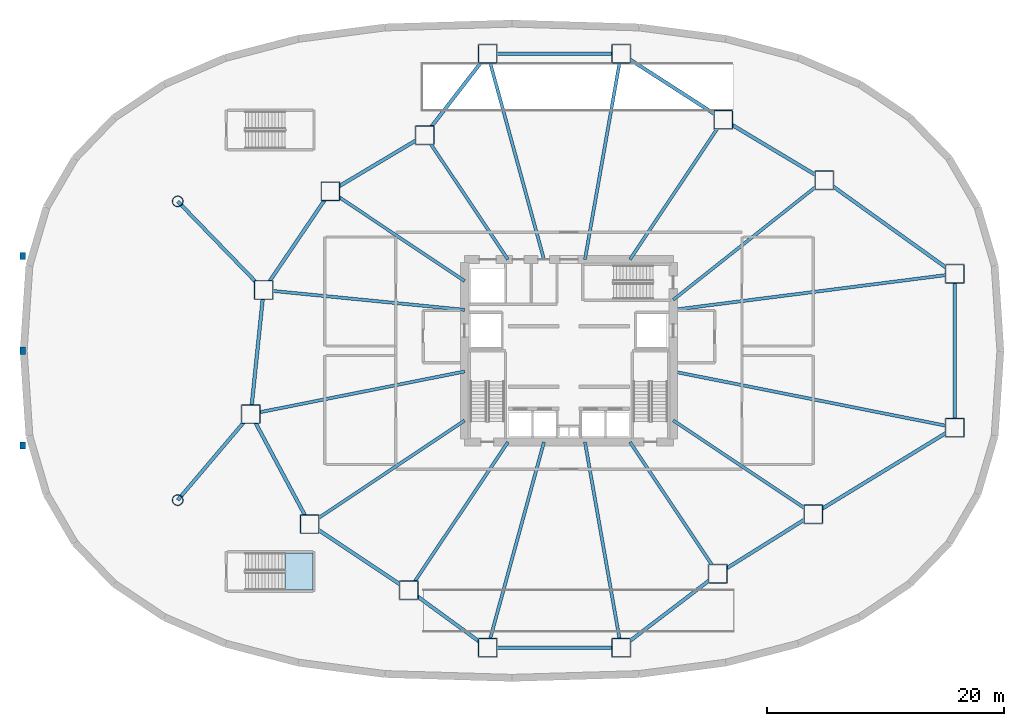
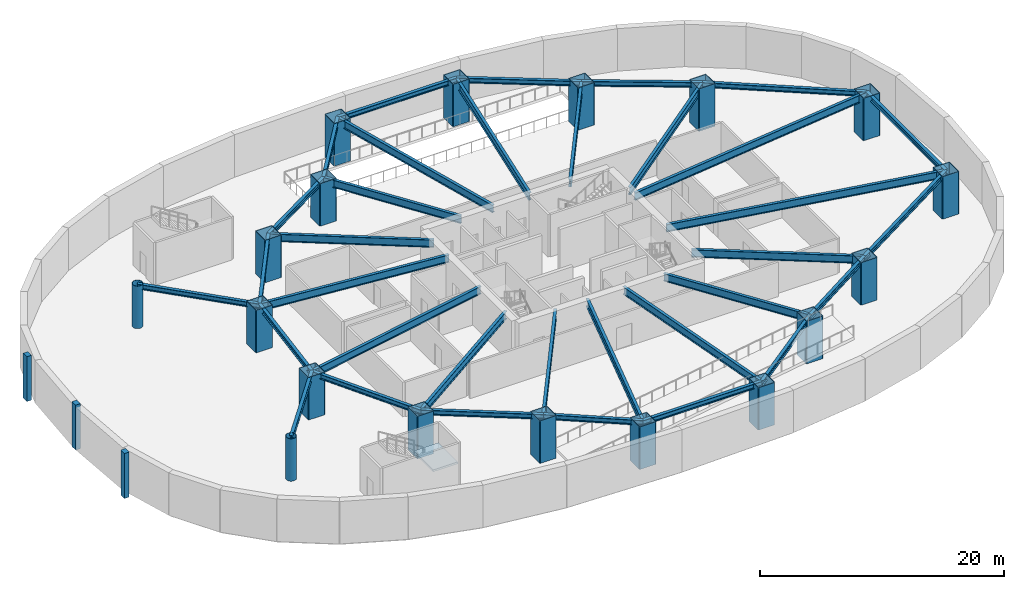
# One storey, part 1 of 10: 34 beams, 21 columns, 1 slab, 1 element without a shape of its own.
"""IFC4 building model written with IfcOpenShell, lengths in metres."""

from ifc_helpers import new_model, si_unit, direction, frame, origin, origin_2d, place, context, subcontext, project, spatial, polyline, rectangle, hollow_rectangle, hollow_circle, i_section, outline, extrude, source, transform, mapped, material, layer, layer_set, material_profile, profile_set, type_object, element, aggregate, save


model = new_model("IFC4")

# Units and contexts
model_context = context("Model", 3, precision=1e-05, world=origin(), true_north=direction((0.0, 1.0)))
body_context = subcontext(model_context, "Body", "Model", "MODEL_VIEW")
ifc_project = project(units=[si_unit("LENGTHUNIT", "METRE"), si_unit("AREAUNIT", "SQUARE_METRE"), si_unit("VOLUMEUNIT", "CUBIC_METRE"), si_unit("PLANEANGLEUNIT", "RADIAN"), si_unit("MASSUNIT", "GRAM", prefix="KILO"), si_unit("THERMODYNAMICTEMPERATUREUNIT", "KELVIN")], contexts=[model_context])

# Site, building, storey
site_placement = place(None, origin())
site = spatial("IfcSite", under=ifc_project, at=site_placement, CompositionType="ELEMENT")
building_placement = place(site_placement, origin())
building = spatial("IfcBuilding", under=site, at=building_placement, Name="Kethvar Cultural Tower", CompositionType="ELEMENT")
storey_placement = place(building_placement, frame((0.0, 0.0, -4.5)))
storey = spatial("IfcBuildingStorey", under=building, at=storey_placement, Name="B01", CompositionType="ELEMENT", Elevation=-4.5)

# Columns
ifc_material_1 = material(Name="Concrete C50/60", Category="concrete")
ifc_material_profile_1 = material_profile(ifc_material_1, rectangle(XDim=0.449951171875, YDim=0.60009765625, at=origin_2d()), Name="Concrete C50/60 — RC600x450")
ifc_profile_set_1 = profile_set([ifc_material_profile_1], Name="Concrete C50/60 — RC600x450")
column_type_1 = type_object("IfcColumnType", Name="COL-PIER-600", PredefinedType="PILASTER", material=ifc_profile_set_1)
shared_shape_1 = source(origin(), body_context, "Body", "SweptSolid", [
    extrude(rectangle(XDim=0.449951171875, YDim=0.60009765625, at=origin_2d()), origin(), (0.0, 0.0, 1.0), 4.5),
])
for number, where, z_axis, x_axis, name in (
    (1, (0.719970703125, 19.800048828125, 0.0), (0.0, 0.0, 1.0), (1.0, 0.0, 0.0), "B01 Canopy Support Pier 01"),
    (2, (0.719970703125, 27.800048828125, 0.0), (0.0, 0.0, 1.0), (1.0, 0.0, 0.0), "B01 Canopy Support Pier 02"),
    (3, (0.719970703125, 35.800048828125, 0.0), (0.0, 0.0, 1.0), (1.0, 0.0, 0.0), "B01 Canopy Support Pier 03"),
):
    element("IfcColumn", number, at=place(storey_placement, frame(where, z_axis=z_axis, x_axis=x_axis)), inside=storey, type_object=column_type_1, Name=name, PredefinedType="PILASTER", context=body_context, shape_type="MappedRepresentation", body=[
        mapped(shared_shape_1, transform((0.0, 0.0, 0.0), scale=1.0)),
    ])
ifc_material_2 = material(Name="Steel S460M", Category="steel")
ifc_material_profile_2 = material_profile(ifc_material_2, hollow_rectangle(XDim=1.60009765625, YDim=1.60009765625, WallThickness=0.06005859375, InnerFilletRadius=0.030029296875, OuterFilletRadius=0.090087890625, at=origin_2d()), Name="Steel S460M — BOX1600x1600x60")
ifc_profile_set_2 = profile_set([ifc_material_profile_2], Name="Steel S460M — BOX1600x1600x60")
column_type_2 = type_object("IfcColumnType", Name="COL-BOX1600", PredefinedType="COLUMN", material=ifc_profile_set_2)
shared_shape_2 = source(origin(), body_context, "Body", "SweptSolid", [
    extrude(hollow_rectangle(XDim=1.60009765625, YDim=1.60009765625, WallThickness=0.06005859375, InnerFilletRadius=0.030029296875, OuterFilletRadius=0.090087890625, at=origin_2d()), origin(), (0.0, 0.0, 1.0), 4.25),
])
for number, where, z_axis, x_axis, name in (
    (4, (79.362060546875, 34.277099609375, 0.0), (0.0, 0.0, 1.0), (1.0, 0.0, 0.0), "B01 Podium Column C-01"),
    (5, (68.33642578125, 42.190185546875, 0.0), (0.0, 0.0, 1.0), (1.0, 0.0, 0.0), "B01 Podium Column C-02"),
    (6, (59.824951171875, 47.293212890625, 0.0), (0.0, 0.0, 1.0), (1.0, 0.0, 0.0), "B01 Podium Column C-03"),
    (7, (51.199951171875, 52.85009765625, 0.0), (0.0, 0.0, 1.0), (1.0, 0.0, 0.0), "B01 Podium Column C-04"),
    (8, (39.949951171875, 52.85009765625, 0.0), (0.0, 0.0, 1.0), (1.0, 0.0, 0.0), "B01 Podium Column C-05"),
    (9, (34.64599609375, 45.98974609375, 0.0), (0.0, 0.0, 1.0), (1.0, 0.0, 0.0), "B01 Podium Column C-06"),
    (10, (26.6845703125, 41.24072265625, 0.0), (0.0, 0.0, 1.0), (1.0, 0.0, 0.0), "B01 Podium Column C-07"),
    (11, (21.047119140625, 32.922607421875, 0.0), (0.0, 0.0, 1.0), (1.0, 0.0, 0.0), "B01 Podium Column C-08"),
    (12, (19.9658203125, 22.46240234375, 0.0), (0.0, 0.0, 1.0), (1.0, 0.0, 0.0), "B01 Podium Column C-09"),
    (13, (24.9248046875, 13.183349609375, 0.0), (0.0, 0.0, 1.0), (1.0, 0.0, 0.0), "B01 Podium Column C-10"),
    (14, (33.302001953125, 7.598876953125, 0.0), (0.0, 0.0, 1.0), (1.0, 0.0, 0.0), "B01 Podium Column C-11"),
    (15, (39.949951171875, 2.75, 0.0), (0.0, 0.0, 1.0), (1.0, 0.0, 0.0), "B01 Podium Column C-12"),
    (16, (51.199951171875, 2.75, 0.0), (0.0, 0.0, 1.0), (1.0, 0.0, 0.0), "B01 Podium Column C-13"),
    (17, (59.370361328125, 8.987060546875, 0.0), (0.0, 0.0, 1.0), (1.0, 0.0, 0.0), "B01 Podium Column C-14"),
    (18, (67.41845703125, 14.023193359375, 0.0), (0.0, 0.0, 1.0), (1.0, 0.0, 0.0), "B01 Podium Column C-15"),
    (19, (79.362060546875, 21.322998046875, 0.0), (0.0, 0.0, 1.0), (1.0, 0.0, 0.0), "B01 Podium Column C-16"),
):
    element("IfcColumn", number, at=place(storey_placement, frame(where, z_axis=z_axis, x_axis=x_axis)), inside=storey, type_object=column_type_2, Name=name, PredefinedType="COLUMN", context=body_context, shape_type="MappedRepresentation", body=[
        mapped(shared_shape_2, transform((0.0, 0.0, 0.0), scale=1.0)),
    ])
ifc_material_3 = material(Name="Steel S355J2", Category="steel")
ifc_material_profile_3 = material_profile(ifc_material_3, hollow_circle(Radius=0.45703125, WallThickness=0.031982421875, at=origin_2d()), Name="Steel S355J2 — CHS914x32")
ifc_profile_set_3 = profile_set([ifc_material_profile_3], Name="Steel S355J2 — CHS914x32")
column_type_3 = type_object("IfcColumnType", Name="COL-CHS914", PredefinedType="COLUMN", material=ifc_profile_set_3)
shared_shape_3 = source(origin(), body_context, "Body", "SweptSolid", [
    extrude(hollow_circle(Radius=0.45703125, WallThickness=0.031982421875, at=origin_2d()), origin(), (0.0, 0.0, 1.0), 4.25),
])
for number, where, z_axis, x_axis, name in (
    (20, (13.800048828125, 15.199951171875, 0.0), (0.0, 0.0, 1.0), (1.0, 0.0, 0.0), "B01 Podium Column C-17"),
    (21, (13.800048828125, 40.39990234375, 0.0), (0.0, 0.0, 1.0), (1.0, 0.0, 0.0), "B01 Podium Column C-18"),
):
    element("IfcColumn", number, at=place(storey_placement, frame(where, z_axis=z_axis, x_axis=x_axis)), inside=storey, type_object=column_type_3, Name=name, PredefinedType="COLUMN", context=body_context, shape_type="MappedRepresentation", body=[
        mapped(shared_shape_3, transform((0.0, 0.0, 0.0), scale=1.0)),
    ])

# Beams
ifc_material_profile_4 = material_profile(ifc_material_3, i_section(OverallWidth=0.300048828125, OverallDepth=0.5, WebThickness=0.014404296875, FlangeThickness=0.028076171875, FilletRadius=0.027099609375, at=origin_2d()), Name="Steel S355J2 — HEB500")
ifc_profile_set_4 = profile_set([ifc_material_profile_4], Name="Steel S355J2 — HEB500")
beam_type_1 = type_object("IfcBeamType", Name="BM-SP500", PredefinedType="SPANDREL", material=ifc_profile_set_4)
shared_shape_4 = source(origin(), body_context, "Body", "SweptSolid", [
    extrude(i_section(OverallWidth=0.300048828125, OverallDepth=0.5, WebThickness=0.014404296875, FlangeThickness=0.028076171875, FilletRadius=0.027099609375, at=origin_2d()), origin(), (0.0, 0.0, 1.0), 13.5712890625),
])
beam_1_placement = place(storey_placement, frame((79.362060546875, 34.277099609375, 3.998046875), z_axis=(-0.812419874207, 0.583072849645, 0.0), x_axis=(-0.583072849645, -0.812419874207, 0.0)))
element("IfcBeam", 22, at=beam_1_placement, inside=storey, type_object=beam_type_1, Name="B01 Podium Ring Beam 01", PredefinedType="SPANDREL", context=body_context, shape_type="MappedRepresentation", body=[
    mapped(shared_shape_4, transform((0.0, 0.0, 0.0), scale=1.0)),
])
shared_shape_5 = source(origin(), body_context, "Body", "SweptSolid", [
    extrude(i_section(OverallWidth=0.300048828125, OverallDepth=0.5, WebThickness=0.014404296875, FlangeThickness=0.028076171875, FilletRadius=0.027099609375, at=origin_2d()), origin(), (0.0, 0.0, 1.0), 9.924072265625),
])
beam_2_placement = place(storey_placement, frame((68.33642578125, 42.190185546875, 3.998046875), z_axis=(-0.857664361463, 0.514209921215, 0.0), x_axis=(-0.514209921215, -0.857664361463, 0.0)))
element("IfcBeam", 23, at=beam_2_placement, inside=storey, type_object=beam_type_1, Name="B01 Podium Ring Beam 02", PredefinedType="SPANDREL", context=body_context, shape_type="MappedRepresentation", body=[
    mapped(shared_shape_5, transform((0.0, 0.0, 0.0), scale=1.0)),
])
shared_shape_6 = source(origin(), body_context, "Body", "SweptSolid", [
    extrude(i_section(OverallWidth=0.300048828125, OverallDepth=0.5, WebThickness=0.014404296875, FlangeThickness=0.028076171875, FilletRadius=0.027099609375, at=origin_2d()), origin(), (0.0, 0.0, 1.0), 10.260009765625),
])
beam_3_placement = place(storey_placement, frame((59.824951171875, 47.293212890625, 3.998046875), z_axis=(-0.840635315951, 0.541601574569, 0.0), x_axis=(-0.541601574569, -0.840635315951, 0.0)))
element("IfcBeam", 24, at=beam_3_placement, inside=storey, type_object=beam_type_1, Name="B01 Podium Ring Beam 03", PredefinedType="SPANDREL", context=body_context, shape_type="MappedRepresentation", body=[
    mapped(shared_shape_6, transform((0.0, 0.0, 0.0), scale=1.0)),
])
shared_shape_7 = source(origin(), body_context, "Body", "SweptSolid", [
    extrude(i_section(OverallWidth=0.300048828125, OverallDepth=0.5, WebThickness=0.014404296875, FlangeThickness=0.028076171875, FilletRadius=0.027099609375, at=origin_2d()), origin(), (0.0, 0.0, 1.0), 11.25),
])
for number, where, z_axis, x_axis, name in (
    (25, (51.199951171875, 52.85009765625, 3.998046875), (-1.0, 0.0, 0.0), (0.0, -1.0, 0.0), "B01 Podium Ring Beam 04"),
    (26, (39.949951171875, 2.75, 3.998046875), (1.0, 0.0, 0.0), (0.0, 1.0, 0.0), "B01 Podium Ring Beam 12"),
):
    element("IfcBeam", number, at=place(storey_placement, frame(where, z_axis=z_axis, x_axis=x_axis)), inside=storey, type_object=beam_type_1, Name=name, PredefinedType="SPANDREL", context=body_context, shape_type="MappedRepresentation", body=[
        mapped(shared_shape_7, transform((0.0, 0.0, 0.0), scale=1.0)),
    ])
shared_shape_8 = source(origin(), body_context, "Body", "SweptSolid", [
    extrude(i_section(OverallWidth=0.300048828125, OverallDepth=0.5, WebThickness=0.014404296875, FlangeThickness=0.028076171875, FilletRadius=0.027099609375, at=origin_2d()), origin(), (0.0, 0.0, 1.0), 8.671630859375),
])
beam_4_placement = place(storey_placement, frame((39.949951171875, 52.85009765625, 3.998046875), z_axis=(-0.611647801721, -0.791130183124, 0.0), x_axis=(0.791130183124, -0.611647801721, 0.0)))
element("IfcBeam", 27, at=beam_4_placement, inside=storey, type_object=beam_type_1, Name="B01 Podium Ring Beam 05", PredefinedType="SPANDREL", context=body_context, shape_type="MappedRepresentation", body=[
    mapped(shared_shape_8, transform((0.0, 0.0, 0.0), scale=1.0)),
])
shared_shape_9 = source(origin(), body_context, "Body", "SweptSolid", [
    extrude(i_section(OverallWidth=0.300048828125, OverallDepth=0.5, WebThickness=0.014404296875, FlangeThickness=0.028076171875, FilletRadius=0.027099609375, at=origin_2d()), origin(), (0.0, 0.0, 1.0), 9.270263671875),
])
beam_5_placement = place(storey_placement, frame((34.64599609375, 45.98974609375, 3.998046875), z_axis=(-0.858814626354, -0.51228647997, 0.0), x_axis=(0.51228647997, -0.858814626354, 0.0)))
element("IfcBeam", 28, at=beam_5_placement, inside=storey, type_object=beam_type_1, Name="B01 Podium Ring Beam 06", PredefinedType="SPANDREL", context=body_context, shape_type="MappedRepresentation", body=[
    mapped(shared_shape_9, transform((0.0, 0.0, 0.0), scale=1.0)),
])
shared_shape_10 = source(origin(), body_context, "Body", "SweptSolid", [
    extrude(i_section(OverallWidth=0.300048828125, OverallDepth=0.5, WebThickness=0.014404296875, FlangeThickness=0.028076171875, FilletRadius=0.027099609375, at=origin_2d()), origin(), (0.0, 0.0, 1.0), 10.048583984375),
])
beam_6_placement = place(storey_placement, frame((26.6845703125, 41.24072265625, 3.998046875), z_axis=(-0.561025415443, -0.827798576483, 0.0), x_axis=(0.827798576483, -0.561025415443, 0.0)))
element("IfcBeam", 29, at=beam_6_placement, inside=storey, type_object=beam_type_1, Name="B01 Podium Ring Beam 07", PredefinedType="SPANDREL", context=body_context, shape_type="MappedRepresentation", body=[
    mapped(shared_shape_10, transform((0.0, 0.0, 0.0), scale=1.0)),
])
shared_shape_11 = source(origin(), body_context, "Body", "SweptSolid", [
    extrude(i_section(OverallWidth=0.300048828125, OverallDepth=0.5, WebThickness=0.014404296875, FlangeThickness=0.028076171875, FilletRadius=0.027099609375, at=origin_2d()), origin(), (0.0, 0.0, 1.0), 10.515869140625),
])
beam_7_placement = place(storey_placement, frame((21.047119140625, 32.922607421875, 3.998046875), z_axis=(-0.102824694973, -0.994699493367, 0.0), x_axis=(0.994699493367, -0.102824694973, 0.0)))
element("IfcBeam", 30, at=beam_7_placement, inside=storey, type_object=beam_type_1, Name="B01 Podium Ring Beam 08", PredefinedType="SPANDREL", context=body_context, shape_type="MappedRepresentation", body=[
    mapped(shared_shape_11, transform((0.0, 0.0, 0.0), scale=1.0)),
])
shared_shape_12 = source(origin(), body_context, "Body", "SweptSolid", [
    extrude(i_section(OverallWidth=0.300048828125, OverallDepth=0.5, WebThickness=0.014404296875, FlangeThickness=0.028076171875, FilletRadius=0.027099609375, at=origin_2d()), origin(), (0.0, 0.0, 1.0), 10.52099609375),
])
beam_8_placement = place(storey_placement, frame((19.9658203125, 22.46240234375, 3.998046875), z_axis=(0.471339616984, -0.881951793162, 0.0), x_axis=(0.881951793162, 0.471339616984, 0.0)))
element("IfcBeam", 31, at=beam_8_placement, inside=storey, type_object=beam_type_1, Name="B01 Podium Ring Beam 09", PredefinedType="SPANDREL", context=body_context, shape_type="MappedRepresentation", body=[
    mapped(shared_shape_12, transform((0.0, 0.0, 0.0), scale=1.0)),
])
shared_shape_13 = source(origin(), body_context, "Body", "SweptSolid", [
    extrude(i_section(OverallWidth=0.300048828125, OverallDepth=0.5, WebThickness=0.014404296875, FlangeThickness=0.028076171875, FilletRadius=0.027099609375, at=origin_2d()), origin(), (0.0, 0.0, 1.0), 10.06787109375),
])
beam_9_placement = place(storey_placement, frame((24.9248046875, 13.183349609375, 3.998046875), z_axis=(0.832065216665, -0.554677812083, 0.0), x_axis=(0.554677812083, 0.832065216665, 0.0)))
element("IfcBeam", 32, at=beam_9_placement, inside=storey, type_object=beam_type_1, Name="B01 Podium Ring Beam 10", PredefinedType="SPANDREL", context=body_context, shape_type="MappedRepresentation", body=[
    mapped(shared_shape_13, transform((0.0, 0.0, 0.0), scale=1.0)),
])
shared_shape_14 = source(origin(), body_context, "Body", "SweptSolid", [
    extrude(i_section(OverallWidth=0.300048828125, OverallDepth=0.5, WebThickness=0.014404296875, FlangeThickness=0.028076171875, FilletRadius=0.027099609375, at=origin_2d()), origin(), (0.0, 0.0, 1.0), 8.228515625),
])
beam_10_placement = place(storey_placement, frame((33.302001953125, 7.598876953125, 3.998046875), z_axis=(0.807925716462, -0.589284342808, 0.0), x_axis=(0.589284342808, 0.807925716462, 0.0)))
element("IfcBeam", 33, at=beam_10_placement, inside=storey, type_object=beam_type_1, Name="B01 Podium Ring Beam 11", PredefinedType="SPANDREL", context=body_context, shape_type="MappedRepresentation", body=[
    mapped(shared_shape_14, transform((0.0, 0.0, 0.0), scale=1.0)),
])
shared_shape_15 = source(origin(), body_context, "Body", "SweptSolid", [
    extrude(i_section(OverallWidth=0.300048828125, OverallDepth=0.5, WebThickness=0.014404296875, FlangeThickness=0.028076171875, FilletRadius=0.027099609375, at=origin_2d()), origin(), (0.0, 0.0, 1.0), 10.279052734375),
])
beam_11_placement = place(storey_placement, frame((51.199951171875, 2.75, 3.998046875), z_axis=(0.794869246576, 0.606780751876, 0.0), x_axis=(-0.606780751876, 0.794869246576, 0.0)))
element("IfcBeam", 34, at=beam_11_placement, inside=storey, type_object=beam_type_1, Name="B01 Podium Ring Beam 13", PredefinedType="SPANDREL", context=body_context, shape_type="MappedRepresentation", body=[
    mapped(shared_shape_15, transform((0.0, 0.0, 0.0), scale=1.0)),
])
shared_shape_16 = source(origin(), body_context, "Body", "SweptSolid", [
    extrude(i_section(OverallWidth=0.300048828125, OverallDepth=0.5, WebThickness=0.014404296875, FlangeThickness=0.028076171875, FilletRadius=0.027099609375, at=origin_2d()), origin(), (0.0, 0.0, 1.0), 9.493896484375),
])
beam_12_placement = place(storey_placement, frame((59.370361328125, 8.987060546875, 3.998046875), z_axis=(0.847710685997, 0.530458851228, 0.0), x_axis=(-0.530458851228, 0.847710685997, 0.0)))
element("IfcBeam", 35, at=beam_12_placement, inside=storey, type_object=beam_type_1, Name="B01 Podium Ring Beam 14", PredefinedType="SPANDREL", context=body_context, shape_type="MappedRepresentation", body=[
    mapped(shared_shape_16, transform((0.0, 0.0, 0.0), scale=1.0)),
])
shared_shape_17 = source(origin(), body_context, "Body", "SweptSolid", [
    extrude(i_section(OverallWidth=0.300048828125, OverallDepth=0.5, WebThickness=0.014404296875, FlangeThickness=0.028076171875, FilletRadius=0.027099609375, at=origin_2d()), origin(), (0.0, 0.0, 1.0), 13.997802734375),
])
beam_13_placement = place(storey_placement, frame((67.41845703125, 14.023193359375, 3.998046875), z_axis=(0.853252083851, 0.521498687826, 0.0), x_axis=(-0.521498687826, 0.853252083851, 0.0)))
element("IfcBeam", 36, at=beam_13_placement, inside=storey, type_object=beam_type_1, Name="B01 Podium Ring Beam 15", PredefinedType="SPANDREL", context=body_context, shape_type="MappedRepresentation", body=[
    mapped(shared_shape_17, transform((0.0, 0.0, 0.0), scale=1.0)),
])
shared_shape_18 = source(origin(), body_context, "Body", "SweptSolid", [
    extrude(i_section(OverallWidth=0.300048828125, OverallDepth=0.5, WebThickness=0.014404296875, FlangeThickness=0.028076171875, FilletRadius=0.027099609375, at=origin_2d()), origin(), (0.0, 0.0, 1.0), 12.9541015625),
])
beam_14_placement = place(storey_placement, frame((79.362060546875, 21.322998046875, 3.998046875), z_axis=(0.0, 1.0, 0.0), x_axis=(-1.0, 0.0, 0.0)))
element("IfcBeam", 37, at=beam_14_placement, inside=storey, type_object=beam_type_1, Name="B01 Podium Ring Beam 16", PredefinedType="SPANDREL", context=body_context, shape_type="MappedRepresentation", body=[
    mapped(shared_shape_18, transform((0.0, 0.0, 0.0), scale=1.0)),
])
shared_shape_19 = source(origin(), body_context, "Body", "SweptSolid", [
    extrude(i_section(OverallWidth=0.300048828125, OverallDepth=0.5, WebThickness=0.014404296875, FlangeThickness=0.028076171875, FilletRadius=0.027099609375, at=origin_2d()), origin(), (0.0, 0.0, 1.0), 9.52685546875),
])
beam_15_placement = place(storey_placement, frame((13.800048828125, 15.199951171875, 3.998046875), z_axis=(0.647202724352, 0.762317934717, 0.0), x_axis=(-0.762317934717, 0.647202724352, 0.0)))
element("IfcBeam", 38, at=beam_15_placement, inside=storey, type_object=beam_type_1, Name="B01 West Atrium Wing Beam 01", PredefinedType="SPANDREL", context=body_context, shape_type="MappedRepresentation", body=[
    mapped(shared_shape_19, transform((0.0, 0.0, 0.0), scale=1.0)),
])
shared_shape_20 = source(origin(), body_context, "Body", "SweptSolid", [
    extrude(i_section(OverallWidth=0.300048828125, OverallDepth=0.5, WebThickness=0.014404296875, FlangeThickness=0.028076171875, FilletRadius=0.027099609375, at=origin_2d()), origin(), (0.0, 0.0, 1.0), 10.4130859375),
])
beam_16_placement = place(storey_placement, frame((13.800048828125, 40.39990234375, 3.998046875), z_axis=(0.695965659729, -0.718075066047, 0.0), x_axis=(0.718075066047, 0.695965659729, 0.0)))
element("IfcBeam", 39, at=beam_16_placement, inside=storey, type_object=beam_type_1, Name="B01 West Atrium Wing Beam 02", PredefinedType="SPANDREL", context=body_context, shape_type="MappedRepresentation", body=[
    mapped(shared_shape_20, transform((0.0, 0.0, 0.0), scale=1.0)),
])
ifc_material_profile_5 = material_profile(ifc_material_3, i_section(OverallWidth=0.26708984375, OverallDepth=0.761962890625, WebThickness=0.014404296875, FlangeThickness=0.021484375, FilletRadius=0.01708984375, at=origin_2d()), Name="Steel S355J2 — IPE750x173")
ifc_profile_set_5 = profile_set([ifc_material_profile_5], Name="Steel S355J2 — IPE750x173")
beam_type_2 = type_object("IfcBeamType", Name="BM-IPE750", PredefinedType="BEAM", material=ifc_profile_set_5)
shared_shape_21 = source(origin(), body_context, "Body", "SweptSolid", [
    extrude(i_section(OverallWidth=0.26708984375, OverallDepth=0.761962890625, WebThickness=0.014404296875, FlangeThickness=0.021484375, FilletRadius=0.01708984375, at=origin_2d()), origin(), (0.0, 0.0, 1.0), 23.9541015625),
])
beam_17_placement = place(storey_placement, frame((55.60009765625, 31.25, 3.866943359375), z_axis=(0.991983004647, 0.126371351546, 0.0), x_axis=(-0.126371351546, 0.991983004647, 0.0)))
element("IfcBeam", 40, at=beam_17_placement, inside=storey, type_object=beam_type_2, Name="B01 Podium Radial Girder 01", PredefinedType="BEAM", context=body_context, shape_type="MappedRepresentation", body=[
    mapped(shared_shape_21, transform((0.0, 0.0, 0.0), scale=1.0)),
])
shared_shape_22 = source(origin(), body_context, "Body", "SweptSolid", [
    extrude(i_section(OverallWidth=0.26708984375, OverallDepth=0.761962890625, WebThickness=0.014404296875, FlangeThickness=0.021484375, FilletRadius=0.01708984375, at=origin_2d()), origin(), (0.0, 0.0, 1.0), 16.248779296875),
])
beam_18_placement = place(storey_placement, frame((55.60009765625, 32.10009765625, 3.866943359375), z_axis=(0.783831288624, 0.620973840813, 0.0), x_axis=(-0.620973840813, 0.783831288624, 0.0)))
element("IfcBeam", 41, at=beam_18_placement, inside=storey, type_object=beam_type_2, Name="B01 Podium Radial Girder 02", PredefinedType="BEAM", context=body_context, shape_type="MappedRepresentation", body=[
    mapped(shared_shape_22, transform((0.0, 0.0, 0.0), scale=1.0)),
])
shared_shape_23 = source(origin(), body_context, "Body", "SweptSolid", [
    extrude(i_section(OverallWidth=0.26708984375, OverallDepth=0.761962890625, WebThickness=0.014404296875, FlangeThickness=0.021484375, FilletRadius=0.01708984375, at=origin_2d()), origin(), (0.0, 0.0, 1.0), 14.18359375),
])
beam_19_placement = place(storey_placement, frame((51.945068359375, 35.5, 3.866943359375), z_axis=(0.55556584065, 0.831472547174, 0.0), x_axis=(-0.831472547174, 0.55556584065, 0.0)))
element("IfcBeam", 42, at=beam_19_placement, inside=storey, type_object=beam_type_2, Name="B01 Podium Radial Girder 03", PredefinedType="BEAM", context=body_context, shape_type="MappedRepresentation", body=[
    mapped(shared_shape_23, transform((0.0, 0.0, 0.0), scale=1.0)),
])
shared_shape_24 = source(origin(), body_context, "Body", "SweptSolid", [
    extrude(i_section(OverallWidth=0.26708984375, OverallDepth=0.761962890625, WebThickness=0.014404296875, FlangeThickness=0.021484375, FilletRadius=0.01708984375, at=origin_2d()), origin(), (0.0, 0.0, 1.0), 17.61572265625),
])
for number, where, z_axis, x_axis, name in (
    (43, (48.152587890625, 35.5, 3.866943359375), (0.172991485085, 0.984923319903, 0.0), (-0.984923319903, 0.172991485085, 0.0), "B01 Podium Radial Girder 04"),
    (44, (48.152587890625, 20.10009765625, 3.866943359375), (0.172991485085, -0.984923319903, 0.0), (0.984923319903, 0.172991485085, 0.0), "B01 Podium Radial Girder 13"),
):
    element("IfcBeam", number, at=place(storey_placement, frame(where, z_axis=z_axis, x_axis=x_axis)), inside=storey, type_object=beam_type_2, Name=name, PredefinedType="BEAM", context=body_context, shape_type="MappedRepresentation", body=[
        mapped(shared_shape_24, transform((0.0, 0.0, 0.0), scale=1.0)),
    ])
shared_shape_25 = source(origin(), body_context, "Body", "SweptSolid", [
    extrude(i_section(OverallWidth=0.26708984375, OverallDepth=0.761962890625, WebThickness=0.014404296875, FlangeThickness=0.021484375, FilletRadius=0.01708984375, at=origin_2d()), origin(), (0.0, 0.0, 1.0), 17.987060546875),
])
for number, where, z_axis, x_axis, name in (
    (45, (44.6943359375, 35.5, 3.866943359375), (-0.26376624534, 0.964586630541, 0.0), (-0.964586630541, -0.26376624534, 0.0), "B01 Podium Radial Girder 05"),
    (46, (44.6943359375, 20.10009765625, 3.866943359375), (-0.26376624534, -0.964586630541, 0.0), (0.964586630541, -0.26376624534, 0.0), "B01 Podium Radial Girder 12"),
):
    element("IfcBeam", number, at=place(storey_placement, frame(where, z_axis=z_axis, x_axis=x_axis)), inside=storey, type_object=beam_type_2, Name=name, PredefinedType="BEAM", context=body_context, shape_type="MappedRepresentation", body=[
        mapped(shared_shape_25, transform((0.0, 0.0, 0.0), scale=1.0)),
    ])
shared_shape_26 = source(origin(), body_context, "Body", "SweptSolid", [
    extrude(i_section(OverallWidth=0.26708984375, OverallDepth=0.761962890625, WebThickness=0.014404296875, FlangeThickness=0.021484375, FilletRadius=0.01708984375, at=origin_2d()), origin(), (0.0, 0.0, 1.0), 12.615966796875),
])
beam_20_placement = place(storey_placement, frame((41.655029296875, 35.5, 3.866943359375), z_axis=(-0.555570723257, 0.831469284736, 0.0), x_axis=(-0.831469284736, -0.555570723257, 0.0)))
element("IfcBeam", 47, at=beam_20_placement, inside=storey, type_object=beam_type_2, Name="B01 Podium Radial Girder 06", PredefinedType="BEAM", context=body_context, shape_type="MappedRepresentation", body=[
    mapped(shared_shape_26, transform((0.0, 0.0, 0.0), scale=1.0)),
])
shared_shape_27 = source(origin(), body_context, "Body", "SweptSolid", [
    extrude(i_section(OverallWidth=0.26708984375, OverallDepth=0.761962890625, WebThickness=0.014404296875, FlangeThickness=0.021484375, FilletRadius=0.01708984375, at=origin_2d()), origin(), (0.0, 0.0, 1.0), 13.60888671875),
])
beam_21_placement = place(storey_placement, frame((38.0, 33.679931640625, 3.866943359375), z_axis=(-0.831467486755, 0.555573414113, 0.0), x_axis=(-0.555573414113, -0.831467486755, 0.0)))
element("IfcBeam", 48, at=beam_21_placement, inside=storey, type_object=beam_type_2, Name="B01 Podium Radial Girder 07", PredefinedType="BEAM", context=body_context, shape_type="MappedRepresentation", body=[
    mapped(shared_shape_27, transform((0.0, 0.0, 0.0), scale=1.0)),
])
shared_shape_28 = source(origin(), body_context, "Body", "SweptSolid", [
    extrude(i_section(OverallWidth=0.26708984375, OverallDepth=0.761962890625, WebThickness=0.014404296875, FlangeThickness=0.021484375, FilletRadius=0.01708984375, at=origin_2d()), origin(), (0.0, 0.0, 1.0), 17.03515625),
])
beam_22_placement = place(storey_placement, frame((38.0, 31.25, 3.866943359375), z_axis=(-0.995168138859, 0.098185413375, 0.0), x_axis=(-0.098185413375, -0.995168138859, 0.0)))
element("IfcBeam", 49, at=beam_22_placement, inside=storey, type_object=beam_type_2, Name="B01 Podium Radial Girder 08", PredefinedType="BEAM", context=body_context, shape_type="MappedRepresentation", body=[
    mapped(shared_shape_28, transform((0.0, 0.0, 0.0), scale=1.0)),
])
shared_shape_29 = source(origin(), body_context, "Body", "SweptSolid", [
    extrude(i_section(OverallWidth=0.26708984375, OverallDepth=0.761962890625, WebThickness=0.014404296875, FlangeThickness=0.021484375, FilletRadius=0.01708984375, at=origin_2d()), origin(), (0.0, 0.0, 1.0), 18.387451171875),
])
beam_23_placement = place(storey_placement, frame((38.0, 26.049560546875, 3.866943359375), z_axis=(-0.980785937774, -0.195087017162, 0.0), x_axis=(0.195087017162, -0.980785937774, 0.0)))
element("IfcBeam", 50, at=beam_23_placement, inside=storey, type_object=beam_type_2, Name="B01 Podium Radial Girder 09", PredefinedType="BEAM", context=body_context, shape_type="MappedRepresentation", body=[
    mapped(shared_shape_29, transform((0.0, 0.0, 0.0), scale=1.0)),
])
shared_shape_30 = source(origin(), body_context, "Body", "SweptSolid", [
    extrude(i_section(OverallWidth=0.26708984375, OverallDepth=0.761962890625, WebThickness=0.014404296875, FlangeThickness=0.021484375, FilletRadius=0.01708984375, at=origin_2d()), origin(), (0.0, 0.0, 1.0), 15.725341796875),
])
beam_24_placement = place(storey_placement, frame((38.0, 21.919921875, 3.866943359375), z_axis=(-0.831469433959, -0.555570499929, 0.0), x_axis=(0.555570499929, -0.831469433959, 0.0)))
element("IfcBeam", 51, at=beam_24_placement, inside=storey, type_object=beam_type_2, Name="B01 Podium Radial Girder 10", PredefinedType="BEAM", context=body_context, shape_type="MappedRepresentation", body=[
    mapped(shared_shape_30, transform((0.0, 0.0, 0.0), scale=1.0)),
])
shared_shape_31 = source(origin(), body_context, "Body", "SweptSolid", [
    extrude(i_section(OverallWidth=0.26708984375, OverallDepth=0.761962890625, WebThickness=0.014404296875, FlangeThickness=0.021484375, FilletRadius=0.01708984375, at=origin_2d()), origin(), (0.0, 0.0, 1.0), 15.03515625),
])
beam_25_placement = place(storey_placement, frame((41.655029296875, 20.10009765625, 3.866943359375), z_axis=(-0.555569254616, -0.83147026605, 0.0), x_axis=(0.83147026605, -0.555569254616, 0.0)))
element("IfcBeam", 52, at=beam_25_placement, inside=storey, type_object=beam_type_2, Name="B01 Podium Radial Girder 11", PredefinedType="BEAM", context=body_context, shape_type="MappedRepresentation", body=[
    mapped(shared_shape_31, transform((0.0, 0.0, 0.0), scale=1.0)),
])
shared_shape_32 = source(origin(), body_context, "Body", "SweptSolid", [
    extrude(i_section(OverallWidth=0.26708984375, OverallDepth=0.761962890625, WebThickness=0.014404296875, FlangeThickness=0.021484375, FilletRadius=0.01708984375, at=origin_2d()), origin(), (0.0, 0.0, 1.0), 13.365478515625),
])
beam_26_placement = place(storey_placement, frame((51.945068359375, 20.10009765625, 3.866943359375), z_axis=(0.555559834465, -0.831476560301, 0.0), x_axis=(0.831476560301, 0.555559834465, 0.0)))
element("IfcBeam", 53, at=beam_26_placement, inside=storey, type_object=beam_type_2, Name="B01 Podium Radial Girder 14", PredefinedType="BEAM", context=body_context, shape_type="MappedRepresentation", body=[
    mapped(shared_shape_32, transform((0.0, 0.0, 0.0), scale=1.0)),
])
shared_shape_33 = source(origin(), body_context, "Body", "SweptSolid", [
    extrude(i_section(OverallWidth=0.26708984375, OverallDepth=0.761962890625, WebThickness=0.014404296875, FlangeThickness=0.021484375, FilletRadius=0.01708984375, at=origin_2d()), origin(), (0.0, 0.0, 1.0), 14.2138671875),
])
beam_27_placement = place(storey_placement, frame((55.60009765625, 21.920166015625, 3.866943359375), z_axis=(0.831463197362, -0.555579833537, 0.0), x_axis=(0.555579833537, 0.831463197362, 0.0)))
element("IfcBeam", 54, at=beam_27_placement, inside=storey, type_object=beam_type_2, Name="B01 Podium Radial Girder 15", PredefinedType="BEAM", context=body_context, shape_type="MappedRepresentation", body=[
    mapped(shared_shape_33, transform((0.0, 0.0, 0.0), scale=1.0)),
])
shared_shape_34 = source(origin(), body_context, "Body", "SweptSolid", [
    extrude(i_section(OverallWidth=0.26708984375, OverallDepth=0.761962890625, WebThickness=0.014404296875, FlangeThickness=0.021484375, FilletRadius=0.01708984375, at=origin_2d()), origin(), (0.0, 0.0, 1.0), 24.2275390625),
])
beam_28_placement = place(storey_placement, frame((55.60009765625, 26.049560546875, 3.866943359375), z_axis=(0.980785168194, -0.195090886131, 0.0), x_axis=(0.195090886131, 0.980785168194, 0.0)))
element("IfcBeam", 55, at=beam_28_placement, inside=storey, type_object=beam_type_2, Name="B01 Podium Radial Girder 16", PredefinedType="BEAM", context=body_context, shape_type="MappedRepresentation", body=[
    mapped(shared_shape_34, transform((0.0, 0.0, 0.0), scale=1.0)),
])

# Stair, slab
ifc_material_4 = material(Name="Concrete C40/50", Category="concrete")
stair_type = type_object("IfcStairType", Name="ST-DOGLEG-150", PredefinedType="HALF_TURN_STAIR", material=ifc_material_4)
stair_placement = place(storey_placement, origin())
stair = element("IfcStair", 56, at=stair_placement, inside=storey, type_object=stair_type, Name="B01 Podium Auditorium Exit Stair 4", PredefinedType="HALF_TURN_STAIR")
ifc_layer = layer(ifc_material_4, 0.199951171875, Name="Concrete C40/50", Category="concrete")
ifc_layer_set = layer_set([ifc_layer], Name="Concrete C40/50 (200 mm)")
slab_type = type_object("IfcSlabType", Name="SL-STAIR-LANDING-200", PredefinedType="LANDING", material=ifc_layer_set)
slab_placement = place(storey_placement, frame((0.0, 0.0, 2.050048828125)))
slab = element("IfcSlab", 57, at=slab_placement, type_object=slab_type, Name="ST-04 landing 1", PredefinedType="LANDING", context=body_context, shape_type="SweptSolid", body=[
    extrude(outline(polyline([(22.860107421875, 7.60009765625), (25.199951171875, 7.60009765625), (25.199951171875, 10.760009765625), (22.860107421875, 10.760009765625), (22.860107421875, 7.60009765625)])), origin(), (0.0, 0.0, 1.0), 0.199951171875),
])
aggregate(stair, [slab])

save(model, "model.ifc")
